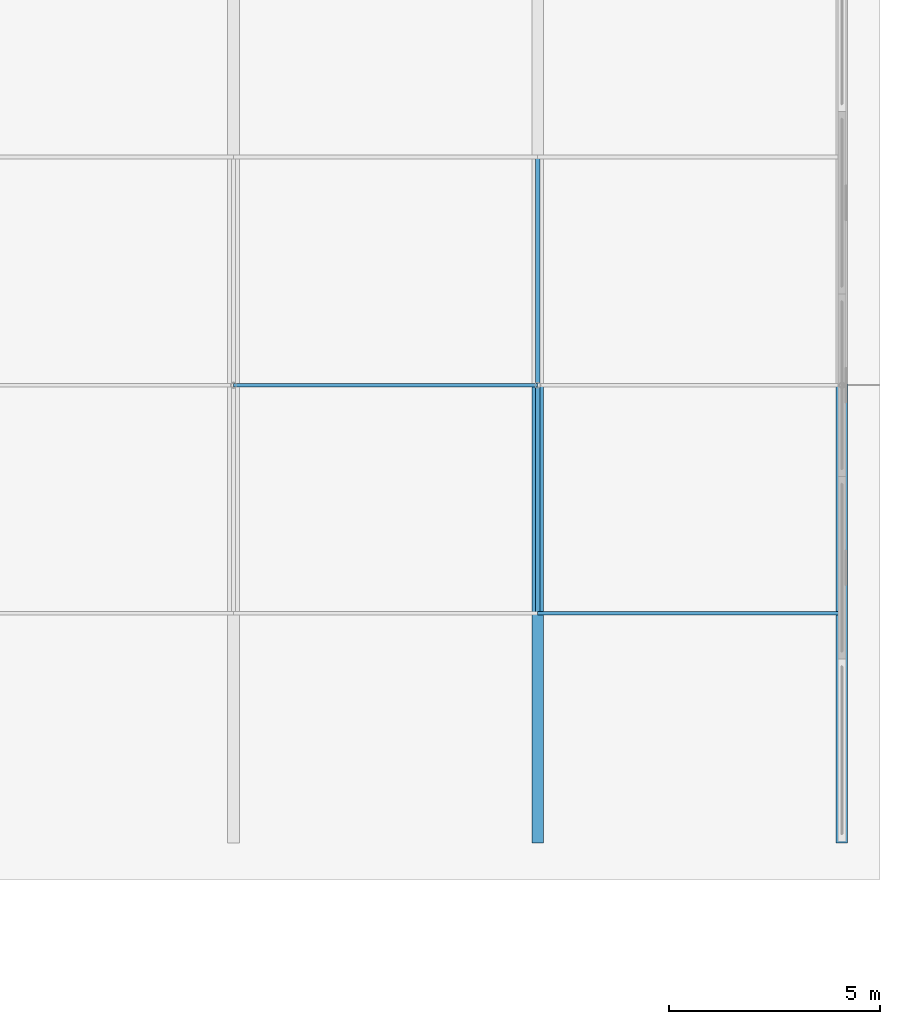
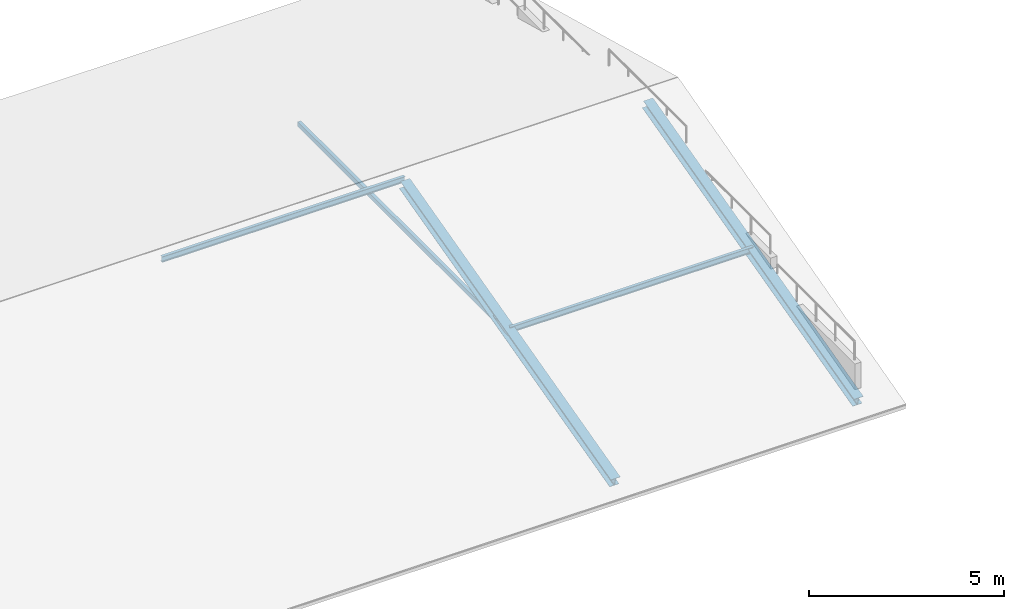
# One storey, part 11 of 22: 5 members.
"""IFC4 building model written with IfcOpenShell, lengths in metres."""

from ifc_helpers import new_model, si_unit, direction, frame, origin, origin_2d, place, context, subcontext, project, spatial, hollow_rectangle, i_section, extrude, material, material_profile, profile_set, type_object, element, save


model = new_model("IFC4")

# Units and contexts
model_context = context("Model", 3, precision=1e-05, world=origin(), true_north=direction((0.0, 1.0)))
body_context = subcontext(model_context, "Body", "Model", "MODEL_VIEW")
ifc_project = project(units=[si_unit("LENGTHUNIT", "METRE"), si_unit("AREAUNIT", "SQUARE_METRE"), si_unit("VOLUMEUNIT", "CUBIC_METRE"), si_unit("PLANEANGLEUNIT", "RADIAN"), si_unit("MASSUNIT", "GRAM", prefix="KILO"), si_unit("THERMODYNAMICTEMPERATUREUNIT", "KELVIN"), si_unit("POWERUNIT", "WATT")], contexts=[model_context])

# Site, building, storey
site_placement = place(None, origin())
site = spatial("IfcSite", under=ifc_project, at=site_placement, CompositionType="ELEMENT")
building_placement = place(site_placement, origin())
building = spatial("IfcBuilding", under=site, at=building_placement, Name="Tavuni Mirador Residences", CompositionType="ELEMENT")
storey_placement = place(building_placement, frame((0.0, 0.0, 45.449951171875)))
storey = spatial("IfcBuildingStorey", under=building, at=storey_placement, Name="L14", CompositionType="ELEMENT", Elevation=45.449951171875)

# Members
ifc_material = material(Name="Structural steel S355", Category="steel")
ifc_material_profile_1 = material_profile(ifc_material, hollow_rectangle(XDim=0.10009765625, YDim=0.14990234375, WallThickness=0.008056640625, at=origin_2d()), Name="RHS 150x100x8.0", Category="steel")
ifc_profile_set_1 = profile_set([ifc_material_profile_1], Name="Structural steel S355")
member_type_1 = type_object("IfcMemberType", Name="MT-BR-RHS150", PredefinedType="BRACE", material=ifc_profile_set_1)
member_1_placement = place(storey_placement, frame((39.60009765625, 156.60009765625, 1.050048828125), z_axis=(0.0, 1.0, 0.0), x_axis=(-1.0, 0.0, 0.0)))
element("IfcMember", 1, at=member_1_placement, inside=storey, type_object=member_type_1, Name="RTIE-BLK-C-03", PredefinedType="BRACE", context=body_context, shape_type="SweptSolid", body=[
    extrude(hollow_rectangle(XDim=0.10009765625, YDim=0.14990234375, WallThickness=0.008056640625, at=origin_2d()), origin(), (0.0, 0.0, 1.0), 10.7998046875),
])
ifc_material_profile_2 = material_profile(ifc_material, i_section(OverallWidth=0.280029296875, OverallDepth=0.27001953125, WebThickness=0.008056640625, FlangeThickness=0.012939453125, FilletRadius=0.02392578125, at=origin_2d()), Name="HEA 280", Category="steel")
ifc_profile_set_2 = profile_set([ifc_material_profile_2], Name="Structural steel S355")
member_type_2 = type_object("IfcMemberType", Name="MT-CH-HEA280", PredefinedType="CHORD", material=ifc_profile_set_2)
for number, where, z_axis, x_axis, name in (
    (2, (39.60009765625, 151.199951171875, -0.349853515625), (0.0, 0.968001426323, 0.250944692386), (-1.0, 0.0, 0.0), "RAF-BLK-C-03-S"),
    (3, (46.800048828125, 151.199951171875, -0.349853515625), (0.0, 0.968001426323, 0.250944692386), (-1.0, 0.0, 0.0), "RAF-BLK-C-04-S"),
):
    element("IfcMember", number, at=place(storey_placement, frame(where, z_axis=z_axis, x_axis=x_axis)), inside=storey, type_object=member_type_2, Name=name, PredefinedType="CHORD", context=body_context, shape_type="SweptSolid", body=[
        extrude(i_section(OverallWidth=0.280029296875, OverallDepth=0.27001953125, WebThickness=0.008056640625, FlangeThickness=0.012939453125, FilletRadius=0.02392578125, at=origin_2d()), origin(), (0.0, 0.0, 1.0), 11.156982421875),
    ])
ifc_material_profile_3 = material_profile(ifc_material, i_section(OverallWidth=0.091064453125, OverallDepth=0.179931640625, WebThickness=0.00537109375, FlangeThickness=0.008056640625, FilletRadius=0.009033203125, at=origin_2d()), Name="IPE 180", Category="steel")
ifc_profile_set_3 = profile_set([ifc_material_profile_3], Name="Structural steel S355")
member_type_3 = type_object("IfcMemberType", Name="MT-PR-IPE180", PredefinedType="PURLIN", material=ifc_profile_set_3)
member_2_placement = place(storey_placement, frame((39.60009765625, 156.60009765625, 1.155029296875), z_axis=(1.0, 0.0, 0.0), x_axis=(0.0, 1.0, 0.0)))
element("IfcMember", 4, at=member_2_placement, inside=storey, type_object=member_type_3, Name="RPUR-BLK-C-25-03", PredefinedType="PURLIN", context=body_context, shape_type="SweptSolid", body=[
    extrude(i_section(OverallWidth=0.091064453125, OverallDepth=0.179931640625, WebThickness=0.00537109375, FlangeThickness=0.008056640625, FilletRadius=0.009033203125, at=origin_2d()), origin(), (0.0, 0.0, 1.0), 7.199951171875),
])
member_3_placement = place(storey_placement, frame((32.39990234375, 162.0, 2.60498046875), z_axis=(1.0, 0.0, 0.0), x_axis=(0.0, 1.0, 0.0)))
element("IfcMember", 5, at=member_3_placement, inside=storey, type_object=member_type_3, Name="RPUR-BLK-C-50-02", PredefinedType="PURLIN", context=body_context, shape_type="SweptSolid", body=[
    extrude(i_section(OverallWidth=0.091064453125, OverallDepth=0.179931640625, WebThickness=0.00537109375, FlangeThickness=0.008056640625, FilletRadius=0.009033203125, at=origin_2d()), origin(), (0.0, 0.0, 1.0), 7.2001953125),
])

save(model, "model.ifc")
